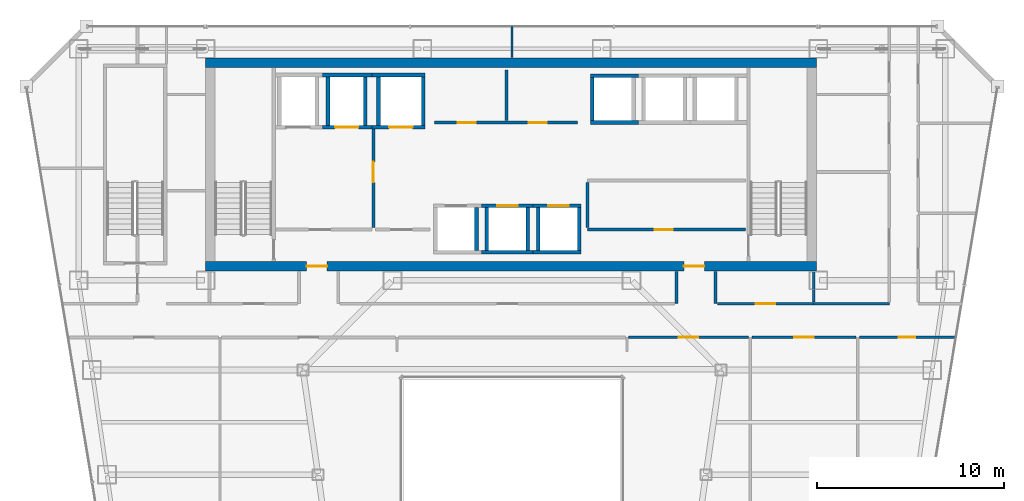
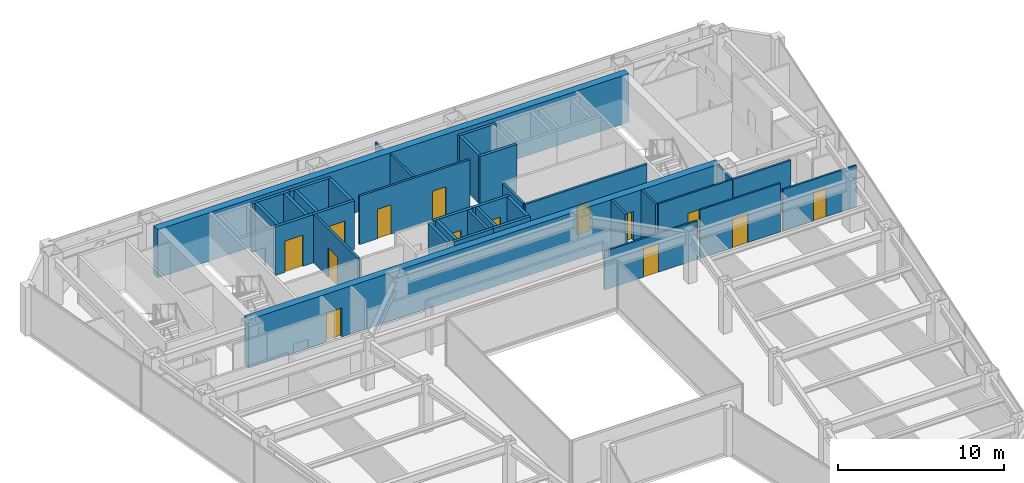
# One storey, part 32 of 36: 36 walls, 14 doors, 14 openings.
"""IFC4 building model written with IfcOpenShell, lengths in metres."""

from ifc_helpers import new_model, si_unit, direction, frame, frame_2d, origin, place, context, subcontext, project, spatial, rectangle, extrude, material, layer, layer_set, type_object, element, fill, save


model = new_model("IFC4")

# Units and contexts
model_context = context("Model", 3, precision=1e-05, world=origin(), true_north=direction((0.0, 1.0)))
body_context = subcontext(model_context, "Body", "Model", "MODEL_VIEW")
ifc_project = project(units=[si_unit("LENGTHUNIT", "METRE"), si_unit("AREAUNIT", "SQUARE_METRE"), si_unit("VOLUMEUNIT", "CUBIC_METRE"), si_unit("PLANEANGLEUNIT", "RADIAN"), si_unit("MASSUNIT", "GRAM", prefix="KILO")], contexts=[model_context])

# Site, building, storey
site_placement = place(None, origin())
site = spatial("IfcSite", under=ifc_project, at=site_placement, CompositionType="ELEMENT")
building_placement = place(site_placement, origin())
building = spatial("IfcBuilding", under=site, at=building_placement, Name="Saevonmaru Cultural Tower", CompositionType="ELEMENT")
storey_placement = place(building_placement, frame((0.0, 0.0, 152.39990234375)))
storey = spatial("IfcBuildingStorey", under=building, at=storey_placement, Name="L33", CompositionType="ELEMENT", Elevation=152.39990234375)

# Wall, openings, doors
ifc_material_1 = material(Name="Concrete C60/75", Category="concrete")
ifc_layer_1 = layer(ifc_material_1, 0.5, Name="Concrete C60/75")
ifc_layer_set_1 = layer_set([ifc_layer_1], Name="Concrete C60/75")
wall_type_1 = type_object("IfcWallType", Name="WL-CORE-500", PredefinedType="SHEAR", material=ifc_layer_set_1)
wall_1_placement = place(storey_placement, frame((13.60009765625, 43.14990234375, 0.0), z_axis=(0.0, 0.0, 1.0), x_axis=(1.0, 0.0, 0.0)))
wall_1 = element("IfcWall", 1, at=wall_1_placement, inside=storey, type_object=wall_type_1, Name="L33 Tower RC core shear wall S", PredefinedType="SHEAR", context=body_context, shape_type="SweptSolid", body=[
    extrude(rectangle(XDim=32.699951171875, YDim=0.5, at=frame_2d((16.35009765625, 0.0))), origin(), (0.0, 0.0, 1.0), 3.550048828125),
])
opening_1_placement = place(wall_1_placement, frame((5.39990234375, 0.0, 0.0)))
opening_1 = element("IfcOpeningElement", 2, at=opening_1_placement, cuts=wall_1, Name="Opening FD-2", PredefinedType="OPENING", context=body_context, shape_type="SweptSolid", body=[
    extrude(rectangle(XDim=1.10009765625, YDim=2.14990234375, at=frame_2d((0.550048828125, 1.074951171875))), frame((0.0, 0.260009765625, 0.0), z_axis=(0.0, -1.0, 0.0), x_axis=(1.0, 0.0, 0.0)), (0.0, 0.0, 1.0), 0.52001953125),
])
opening_2_placement = place(wall_1_placement, frame((25.60009765625, 0.0, 0.0)))
opening_2 = element("IfcOpeningElement", 3, at=opening_2_placement, cuts=wall_1, Name="Opening FD-2", PredefinedType="OPENING", context=body_context, shape_type="SweptSolid", body=[
    extrude(rectangle(XDim=1.10009765625, YDim=2.14990234375, at=frame_2d((0.550048828125, 1.074951171875))), frame((0.0, 0.260009765625, 0.0), z_axis=(0.0, -1.0, 0.0), x_axis=(1.0, 0.0, 0.0)), (0.0, 0.0, 1.0), 0.52001953125),
])
ifc_material_2 = material(Name="Satin Bronze Anodised Aluminium", Category="aluminium")
door_type_1 = type_object("IfcDoorType", Name="DR-FD60-1100", OperationType="SINGLE_SWING_LEFT", PredefinedType="DOOR", material=ifc_material_2)
door_1_placement = place(opening_1_placement, origin())
door_1 = element("IfcDoor", 4, at=door_1_placement, inside=storey, type_object=door_type_1, Name="L33 Core West Lobby Fire Door", OperationType="SINGLE_SWING_LEFT", OverallHeight=2.14990234375, OverallWidth=1.10009765625, PredefinedType="DOOR", context=body_context, shape_type="SweptSolid", body=[
    extrude(rectangle(XDim=1.10009765625, YDim=2.14990234375, at=frame_2d((0.550048828125, 1.074951171875))), frame((0.0, 0.02490234375, 0.0), z_axis=(0.0, -1.0, 0.0), x_axis=(1.0, 0.0, 0.0)), (0.0, 0.0, 1.0), 0.050048828125),
])
fill(opening_1, door_1)
door_2_placement = place(opening_2_placement, origin())
door_2 = element("IfcDoor", 5, at=door_2_placement, inside=storey, type_object=door_type_1, Name="L33 Core East Lobby Fire Door", OperationType="SINGLE_SWING_LEFT", OverallHeight=2.14990234375, OverallWidth=1.10009765625, PredefinedType="DOOR", context=body_context, shape_type="SweptSolid", body=[
    extrude(rectangle(XDim=1.10009765625, YDim=2.14990234375, at=frame_2d((0.550048828125, 1.074951171875))), frame((0.0, 0.02490234375, 0.0), z_axis=(0.0, -1.0, 0.0), x_axis=(1.0, 0.0, 0.0)), (0.0, 0.0, 1.0), 0.050048828125),
])
fill(opening_2, door_2)

# Wall
wall_2_placement = place(storey_placement, frame((13.60009765625, 54.050048828125, 0.0), z_axis=(0.0, 0.0, 1.0), x_axis=(1.0, 0.0, 0.0)))
element("IfcWall", 6, at=wall_2_placement, inside=storey, type_object=wall_type_1, Name="L33 Tower RC core shear wall N", PredefinedType="SHEAR", context=body_context, shape_type="SweptSolid", body=[
    extrude(rectangle(XDim=32.699951171875, YDim=0.5, at=frame_2d((16.35009765625, 0.0))), origin(), (0.0, 0.0, 1.0), 3.550048828125),
])

# Wall, opening, door
ifc_material_3 = material(Name="Gypsum Fireboard Partition", Category="gypsum")
ifc_layer_2 = layer(ifc_material_3, 0.14990234375, Name="Gypsum Fireboard Partition")
ifc_layer_set_2 = layer_set([ifc_layer_2], Name="Gypsum Fireboard Partition")
wall_type_2 = type_object("IfcWallType", Name="WL-CORE-PART-150", PredefinedType="PARTITIONING", material=ifc_layer_set_2)
wall_3_placement = place(storey_placement, frame((22.580078125, 50.550048828125, 0.0), z_axis=(0.0, 0.0, 1.0), x_axis=(0.0, -1.0, 0.0)))
wall_3 = element("IfcWall", 7, at=wall_3_placement, inside=storey, type_object=wall_type_2, Name="L33 Firefighting Lift Lobby East Wall", PredefinedType="PARTITIONING", context=body_context, shape_type="SweptSolid", body=[
    extrude(rectangle(XDim=5.330078125, YDim=0.14990234375, at=frame_2d((2.6650390625, 0.0))), origin(), (0.0, 0.0, 1.0), 3.550048828125),
])
opening_3_placement = place(wall_3_placement, frame((1.800048828125, 0.0, 0.0)))
opening_3 = element("IfcOpeningElement", 8, at=opening_3_placement, cuts=wall_3, Name="Opening FD-2", PredefinedType="OPENING", context=body_context, shape_type="SweptSolid", body=[
    extrude(rectangle(XDim=1.10009765625, YDim=2.14990234375, at=frame_2d((0.550048828125, 1.074951171875))), frame((0.0, 0.0849609375, 0.0), z_axis=(0.0, -1.0, 0.0), x_axis=(1.0, 0.0, 0.0)), (0.0, 0.0, 1.0), 0.169921875),
])
door_3_placement = place(opening_3_placement, origin())
door_3 = element("IfcDoor", 9, at=door_3_placement, inside=storey, type_object=door_type_1, Name="L33 Firefighting Lift Lobby East Door", OperationType="SINGLE_SWING_LEFT", OverallHeight=2.14990234375, OverallWidth=1.10009765625, PredefinedType="DOOR", context=body_context, shape_type="SweptSolid", body=[
    extrude(rectangle(XDim=1.10009765625, YDim=2.14990234375, at=frame_2d((0.550048828125, 1.074951171875))), frame((0.0, 0.02490234375, 0.0), z_axis=(0.0, -1.0, 0.0), x_axis=(1.0, 0.0, 0.0)), (0.0, 0.0, 1.0), 0.050048828125),
])
fill(opening_3, door_3)

wall_4_placement = place(storey_placement, frame((34.050048828125, 45.1201171875, 0.0), z_axis=(0.0, 0.0, 1.0), x_axis=(1.0, 0.0, 0.0)))
wall_4 = element("IfcWall", 10, at=wall_4_placement, inside=storey, type_object=wall_type_2, Name="L33 Core Service South Wall", PredefinedType="PARTITIONING", context=body_context, shape_type="SweptSolid", body=[
    extrude(rectangle(XDim=8.449951171875, YDim=0.14990234375, at=frame_2d((4.22509765625, 0.0))), origin(), (0.0, 0.0, 1.0), 3.550048828125),
])
opening_4_placement = place(wall_4_placement, frame((3.60009765625, 0.0, 0.0)))
opening_4 = element("IfcOpeningElement", 11, at=opening_4_placement, cuts=wall_4, Name="Opening FD-4", PredefinedType="OPENING", context=body_context, shape_type="SweptSolid", body=[
    extrude(rectangle(XDim=0.949951171875, YDim=2.14990234375, at=frame_2d((0.47509765625, 1.074951171875))), frame((0.0, 0.0849609375, 0.0), z_axis=(0.0, -1.0, 0.0), x_axis=(1.0, 0.0, 0.0)), (0.0, 0.0, 1.0), 0.169921875),
])
door_type_2 = type_object("IfcDoorType", Name="DR-FD60-950", OperationType="SINGLE_SWING_LEFT", PredefinedType="DOOR", material=ifc_material_2)
door_4_placement = place(opening_4_placement, origin())
door_4 = element("IfcDoor", 12, at=door_4_placement, inside=storey, type_object=door_type_2, Name="L33 Telecom Riser Plant Door", OperationType="SINGLE_SWING_LEFT", OverallHeight=2.14990234375, OverallWidth=0.949951171875, PredefinedType="DOOR", context=body_context, shape_type="SweptSolid", body=[
    extrude(rectangle(XDim=0.949951171875, YDim=2.14990234375, at=frame_2d((0.47509765625, 1.074951171875))), frame((0.0, 0.02490234375, 0.0), z_axis=(0.0, -1.0, 0.0), x_axis=(1.0, 0.0, 0.0)), (0.0, 0.0, 1.0), 0.050048828125),
])
fill(opening_4, door_4)

# Wall
wall_5_placement = place(storey_placement, frame((34.050048828125, 45.219970703125, 0.0), z_axis=(0.0, 0.0, 1.0), x_axis=(0.0, 1.0, 0.0)))
element("IfcWall", 13, at=wall_5_placement, inside=storey, type_object=wall_type_2, Name="L33 Core Service West Wall", PredefinedType="PARTITIONING", context=body_context, shape_type="SweptSolid", body=[
    extrude(rectangle(XDim=2.429931640625, YDim=0.14990234375, at=frame_2d((1.21484375, 0.0))), origin(), (0.0, 0.0, 1.0), 3.550048828125),
])

# Wall, openings, doors
wall_6_placement = place(storey_placement, frame((25.85009765625, 50.85009765625, 0.0), z_axis=(0.0, 0.0, 1.0), x_axis=(1.0, 0.0, 0.0)))
wall_6 = element("IfcWall", 14, at=wall_6_placement, inside=storey, type_object=wall_type_2, Name="L33 Reclaimed Core Room South Wall", PredefinedType="PARTITIONING", context=body_context, shape_type="SweptSolid", body=[
    extrude(rectangle(XDim=7.64990234375, YDim=0.14990234375, at=frame_2d((3.824951171875, 0.0))), origin(), (0.0, 0.0, 1.0), 3.550048828125),
])
opening_5_placement = place(wall_6_placement, frame((1.25, 0.0, 0.0)))
opening_5 = element("IfcOpeningElement", 15, at=opening_5_placement, cuts=wall_6, Name="Opening FD-4", PredefinedType="OPENING", context=body_context, shape_type="SweptSolid", body=[
    extrude(rectangle(XDim=0.949951171875, YDim=2.14990234375, at=frame_2d((0.47509765625, 1.074951171875))), frame((0.0, 0.0849609375, 0.0), z_axis=(0.0, -1.0, 0.0), x_axis=(1.0, 0.0, 0.0)), (0.0, 0.0, 1.0), 0.169921875),
])
opening_6_placement = place(wall_6_placement, frame((5.050048828125, 0.0, 0.0)))
opening_6 = element("IfcOpeningElement", 16, at=opening_6_placement, cuts=wall_6, Name="Opening FD-4", PredefinedType="OPENING", context=body_context, shape_type="SweptSolid", body=[
    extrude(rectangle(XDim=0.949951171875, YDim=2.14990234375, at=frame_2d((0.47509765625, 1.074951171875))), frame((0.0, 0.0849609375, 0.0), z_axis=(0.0, -1.0, 0.0), x_axis=(1.0, 0.0, 0.0)), (0.0, 0.0, 1.0), 0.169921875),
])
door_5_placement = place(opening_5_placement, origin())
door_5 = element("IfcDoor", 17, at=door_5_placement, inside=storey, type_object=door_type_2, Name="L33 Reclaimed Archive Vault Door", OperationType="SINGLE_SWING_LEFT", OverallHeight=2.14990234375, OverallWidth=0.949951171875, PredefinedType="DOOR", context=body_context, shape_type="SweptSolid", body=[
    extrude(rectangle(XDim=0.949951171875, YDim=2.14990234375, at=frame_2d((0.47509765625, 1.074951171875))), frame((0.0, 0.02490234375, 0.0), z_axis=(0.0, -1.0, 0.0), x_axis=(1.0, 0.0, 0.0)), (0.0, 0.0, 1.0), 0.050048828125),
])
fill(opening_5, door_5)
door_6_placement = place(opening_6_placement, origin())
door_6 = element("IfcDoor", 18, at=door_6_placement, inside=storey, type_object=door_type_2, Name="L33 Reclaimed Conservation Storage Door", OperationType="SINGLE_SWING_LEFT", OverallHeight=2.14990234375, OverallWidth=0.949951171875, PredefinedType="DOOR", context=body_context, shape_type="SweptSolid", body=[
    extrude(rectangle(XDim=0.949951171875, YDim=2.14990234375, at=frame_2d((0.47509765625, 1.074951171875))), frame((0.0, 0.02490234375, 0.0), z_axis=(0.0, -1.0, 0.0), x_axis=(1.0, 0.0, 0.0)), (0.0, 0.0, 1.0), 0.050048828125),
])
fill(opening_6, door_6)

# Walls
wall_7_placement = place(storey_placement, frame((29.699951171875, 50.949951171875, 0.0), z_axis=(0.0, 0.0, 1.0), x_axis=(0.0, 1.0, 0.0)))
element("IfcWall", 19, at=wall_7_placement, inside=storey, type_object=wall_type_2, Name="L33 Reclaimed Vault Split", PredefinedType="PARTITIONING", context=body_context, shape_type="SweptSolid", body=[
    extrude(rectangle(XDim=2.699951171875, YDim=0.14990234375, at=frame_2d((1.35009765625, 0.0))), origin(), (0.0, 0.0, 1.0), 3.550048828125),
])
ifc_layer_3 = layer(ifc_material_3, 0.14990234375, Name="Gypsum Fireboard Partition")
ifc_layer_set_3 = layer_set([ifc_layer_3], Name="Gypsum Fireboard Partition")
wall_type_3 = type_object("IfcWallType", Name="WL-PART-FIRE-150", PredefinedType="PARTITIONING", material=ifc_layer_set_3)
for number, where, z_axis, x_axis, name in (
    (20, (38.800048828125, 41.14990234375, 0.0), (0.0, 0.0, 1.0), (0.0, 1.0, 0.0), "L33 Core Portal Side Wall E1"),
    (21, (40.89990234375, 41.14990234375, 0.0), (0.0, 0.0, 1.0), (0.0, 1.0, 0.0), "L33 Core Portal Side Wall E2"),
):
    element("IfcWall", number, at=place(storey_placement, frame(where, z_axis=z_axis, x_axis=x_axis)), inside=storey, type_object=wall_type_3, Name=name, PredefinedType="PARTITIONING", context=body_context, shape_type="SweptSolid", body=[
        extrude(rectangle(XDim=1.72998046875, YDim=0.14990234375, at=frame_2d((0.864990234375, 0.0))), origin(), (0.0, 0.0, 1.0), 3.550048828125),
    ])
ifc_layer_4 = layer(ifc_material_3, 0.1201171875, Name="Gypsum Fireboard Partition")
ifc_layer_set_4 = layer_set([ifc_layer_4], Name="Gypsum Fireboard Partition")
wall_type_4 = type_object("IfcWallType", Name="WL-PART-GYP-120", PredefinedType="PARTITIONING", material=ifc_layer_set_4)
wall_8_placement = place(storey_placement, frame((30.0, 54.320068359375, 0.0), z_axis=(0.0, 0.0, 1.0), x_axis=(0.0, 1.0, 0.0)))
element("IfcWall", 22, at=wall_8_placement, inside=storey, type_object=wall_type_4, Name="L33 North Panorama Center Split", PredefinedType="PARTITIONING", context=body_context, shape_type="SweptSolid", body=[
    extrude(rectangle(XDim=1.675048828125, YDim=0.1201171875, at=frame_2d((0.83740234375, 0.0))), origin(), (0.0, 0.0, 1.0), 2.93505859375),
])

# Wall, opening, door
wall_9_placement = place(storey_placement, frame((40.9951171875, 41.14990234375, 0.0), z_axis=(0.0, 0.0, 1.0), x_axis=(1.0, 0.0, 0.0)))
wall_9 = element("IfcWall", 23, at=wall_9_placement, inside=storey, type_object=wall_type_4, Name="L33 Rare Manuscript Reading Room Corridor Wall", PredefinedType="PARTITIONING", context=body_context, shape_type="SweptSolid", body=[
    extrude(rectangle(XDim=5.15478515625, YDim=0.1201171875, at=frame_2d((2.577392578125, 0.0))), origin(), (0.0, 0.0, 1.0), 3.550048828125),
])
opening_7_placement = place(wall_9_placement, frame((2.052978515625, 0.0, 0.0)))
opening_7 = element("IfcOpeningElement", 24, at=opening_7_placement, cuts=wall_9, Name="Opening ID-1", PredefinedType="OPENING", context=body_context, shape_type="SweptSolid", body=[
    extrude(rectangle(XDim=1.050048828125, YDim=2.14990234375, at=frame_2d((0.52490234375, 1.074951171875))), frame((0.0, 0.070068359375, 0.0), z_axis=(0.0, -1.0, 0.0), x_axis=(1.0, 0.0, 0.0)), (0.0, 0.0, 1.0), 0.14013671875),
])
door_type_3 = type_object("IfcDoorType", Name="DR-INT-1050", OperationType="SINGLE_SWING_LEFT", PredefinedType="DOOR", material=ifc_material_2)
door_7_placement = place(opening_7_placement, origin())
door_7 = element("IfcDoor", 25, at=door_7_placement, inside=storey, type_object=door_type_3, Name="L33 Rare Manuscript Reading Room Door", OperationType="SINGLE_SWING_LEFT", OverallHeight=2.14990234375, OverallWidth=1.050048828125, PredefinedType="DOOR", context=body_context, shape_type="SweptSolid", body=[
    extrude(rectangle(XDim=1.050048828125, YDim=2.14990234375, at=frame_2d((0.52490234375, 1.074951171875))), frame((0.0, 0.02490234375, 0.0), z_axis=(0.0, -1.0, 0.0), x_axis=(1.0, 0.0, 0.0)), (0.0, 0.0, 1.0), 0.050048828125),
])
fill(opening_7, door_7)

wall_10_placement = place(storey_placement, frame((36.22998046875, 39.35009765625, 0.0), z_axis=(0.0, 0.0, 1.0), x_axis=(1.0, 0.0, 0.0)))
wall_10 = element("IfcWall", 26, at=wall_10_placement, inside=storey, type_object=wall_type_4, Name="L33 Rare Manuscript Reading Room Corridor Wall", PredefinedType="PARTITIONING", context=body_context, shape_type="SweptSolid", body=[
    extrude(rectangle(XDim=6.442626953125, YDim=0.1201171875, at=frame_2d((3.22119140625, 0.0))), origin(), (0.0, 0.0, 1.0), 2.835205078125),
])
opening_8_placement = place(wall_10_placement, frame((2.696044921875, 0.0, 0.0)))
opening_8 = element("IfcOpeningElement", 27, at=opening_8_placement, cuts=wall_10, Name="Opening ID-1", PredefinedType="OPENING", context=body_context, shape_type="SweptSolid", body=[
    extrude(rectangle(XDim=1.050048828125, YDim=2.14990234375, at=frame_2d((0.52490234375, 1.074951171875))), frame((0.0, 0.070068359375, 0.0), z_axis=(0.0, -1.0, 0.0), x_axis=(1.0, 0.0, 0.0)), (0.0, 0.0, 1.0), 0.14013671875),
])
door_8_placement = place(opening_8_placement, origin())
door_8 = element("IfcDoor", 28, at=door_8_placement, inside=storey, type_object=door_type_3, Name="L33 Rare Manuscript Reading Room Door", OperationType="SINGLE_SWING_RIGHT", OverallHeight=2.14990234375, OverallWidth=1.050048828125, PredefinedType="DOOR", context=body_context, shape_type="SweptSolid", body=[
    extrude(rectangle(XDim=1.050048828125, YDim=2.14990234375, at=frame_2d((0.52490234375, 1.074951171875))), frame((0.0, 0.02490234375, 0.0), z_axis=(0.0, -1.0, 0.0), x_axis=(1.0, 0.0, 0.0)), (0.0, 0.0, 1.0), 0.050048828125),
])
fill(opening_8, door_8)

wall_11_placement = place(storey_placement, frame((42.847412109375, 39.35009765625, 0.0), z_axis=(0.0, 0.0, 1.0), x_axis=(1.0, 0.0, 0.0)))
wall_11 = element("IfcWall", 29, at=wall_11_placement, inside=storey, type_object=wall_type_4, Name="L33 Periodical Reading Room Corridor Wall", PredefinedType="PARTITIONING", context=body_context, shape_type="SweptSolid", body=[
    extrude(rectangle(XDim=5.5751953125, YDim=0.1201171875, at=frame_2d((2.78759765625, 0.0))), origin(), (0.0, 0.0, 1.0), 3.550048828125),
])
opening_9_placement = place(wall_11_placement, frame((2.262939453125, 0.0, 0.0)))
opening_9 = element("IfcOpeningElement", 30, at=opening_9_placement, cuts=wall_11, Name="Opening ID-1", PredefinedType="OPENING", context=body_context, shape_type="SweptSolid", body=[
    extrude(rectangle(XDim=1.050048828125, YDim=2.14990234375, at=frame_2d((0.52490234375, 1.074951171875))), frame((0.0, 0.070068359375, 0.0), z_axis=(0.0, -1.0, 0.0), x_axis=(1.0, 0.0, 0.0)), (0.0, 0.0, 1.0), 0.14013671875),
])
door_9_placement = place(opening_9_placement, origin())
door_9 = element("IfcDoor", 31, at=door_9_placement, inside=storey, type_object=door_type_3, Name="L33 Periodical Reading Room Door", OperationType="SINGLE_SWING_LEFT", OverallHeight=2.14990234375, OverallWidth=1.050048828125, PredefinedType="DOOR", context=body_context, shape_type="SweptSolid", body=[
    extrude(rectangle(XDim=1.050048828125, YDim=2.14990234375, at=frame_2d((0.52490234375, 1.074951171875))), frame((0.0, 0.02490234375, 0.0), z_axis=(0.0, -1.0, 0.0), x_axis=(1.0, 0.0, 0.0)), (0.0, 0.0, 1.0), 0.050048828125),
])
fill(opening_9, door_9)

wall_12_placement = place(storey_placement, frame((48.597412109375, 39.35009765625, 0.0), z_axis=(0.0, 0.0, 1.0), x_axis=(1.0, 0.0, 0.0)))
wall_12 = element("IfcWall", 32, at=wall_12_placement, inside=storey, type_object=wall_type_4, Name="L33 Editorial Fellows Office Corridor Wall", PredefinedType="PARTITIONING", context=body_context, shape_type="SweptSolid", body=[
    extrude(rectangle(XDim=5.09765625, YDim=0.1201171875, at=frame_2d((2.548828125, 0.0))), origin(), (0.0, 0.0, 1.0), 3.03515625),
])
opening_10_placement = place(wall_12_placement, frame((2.09912109375, 0.0, 0.0)))
opening_10 = element("IfcOpeningElement", 33, at=opening_10_placement, cuts=wall_12, Name="Opening ID-2", PredefinedType="OPENING", context=body_context, shape_type="SweptSolid", body=[
    extrude(rectangle(XDim=0.89990234375, YDim=2.10009765625, at=frame_2d((0.449951171875, 1.050048828125))), frame((0.0, 0.070068359375, 0.0), z_axis=(0.0, -1.0, 0.0), x_axis=(1.0, 0.0, 0.0)), (0.0, 0.0, 1.0), 0.14013671875),
])
ifc_material_4 = material(Name="Acoustic Stained Oak Timber", Category="wood")
door_type_4 = type_object("IfcDoorType", Name="DR-INT-900", OperationType="SINGLE_SWING_RIGHT", PredefinedType="DOOR", material=ifc_material_4)
door_10_placement = place(opening_10_placement, origin())
door_10 = element("IfcDoor", 34, at=door_10_placement, inside=storey, type_object=door_type_4, Name="L33 Editorial Fellows Office Door", OperationType="SINGLE_SWING_RIGHT", OverallHeight=2.10009765625, OverallWidth=0.89990234375, PredefinedType="DOOR", context=body_context, shape_type="SweptSolid", body=[
    extrude(rectangle(XDim=0.89990234375, YDim=2.10009765625, at=frame_2d((0.449951171875, 1.050048828125))), frame((0.0, 0.02490234375, 0.0), z_axis=(0.0, -1.0, 0.0), x_axis=(1.0, 0.0, 0.0)), (0.0, 0.0, 1.0), 0.050048828125),
])
fill(opening_10, door_10)

# Walls
ifc_layer_5 = layer(ifc_material_3, 0.139892578125, Name="Gypsum Fireboard Partition")
ifc_layer_set_5 = layer_set([ifc_layer_5], Name="Gypsum Fireboard Partition")
wall_type_5 = type_object("IfcWallType", Name="WL-PART-WET-140", PredefinedType="PARTITIONING", material=ifc_layer_set_5)
wall_13_placement = place(storey_placement, frame((46.14990234375, 41.14990234375, 0.0), z_axis=(0.0, 0.0, 1.0), x_axis=(1.0, 0.0, 0.0)))
element("IfcWall", 35, at=wall_13_placement, inside=storey, type_object=wall_type_5, Name="L33 Washroom South Wall", PredefinedType="PARTITIONING", context=body_context, shape_type="SweptSolid", body=[
    extrude(rectangle(XDim=4.050048828125, YDim=0.139892578125, at=frame_2d((2.02490234375, 0.0))), origin(), (0.0, 0.0, 1.0), 3.550048828125),
])
wall_14_placement = place(storey_placement, frame((46.14990234375, 41.239990234375, 0.0), z_axis=(0.0, 0.0, 1.0), x_axis=(0.0, 1.0, 0.0)))
element("IfcWall", 36, at=wall_14_placement, inside=storey, type_object=wall_type_5, Name="L33 Washroom South-West Return", PredefinedType="PARTITIONING", context=body_context, shape_type="SweptSolid", body=[
    extrude(rectangle(XDim=1.639892578125, YDim=0.139892578125, at=frame_2d((0.81982421875, 0.0))), origin(), (0.0, 0.0, 1.0), 3.550048828125),
])

# Wall, opening, door
ifc_material_5 = material(Name="Concrete C40/50", Category="concrete")
ifc_layer_6 = layer(ifc_material_5, 0.199951171875, Name="Concrete C40/50")
ifc_layer_set_6 = layer_set([ifc_layer_6], Name="Concrete C40/50")
wall_type_6 = type_object("IfcWallType", Name="WL-SHAFT-200", PredefinedType="SHEAR", material=ifc_layer_set_6)
wall_15_placement = place(storey_placement, frame((19.85009765625, 50.60009765625, 0.0), z_axis=(0.0, 0.0, 1.0), x_axis=(1.0, 0.0, 0.0)))
wall_15 = element("IfcWall", 37, at=wall_15_placement, inside=storey, type_object=wall_type_6, Name="L33 Lift FFL-2 Hoistway Wall S", PredefinedType="SHEAR", context=body_context, shape_type="SweptSolid", body=[
    extrude(rectangle(XDim=2.64990234375, YDim=0.199951171875, at=frame_2d((1.324951171875, 0.0))), origin(), (0.0, 0.0, 1.0), 3.550048828125),
])
opening_11_placement = place(wall_15_placement, frame((0.675048828125, 0.0, 0.0)))
opening_11 = element("IfcOpeningElement", 38, at=opening_11_placement, cuts=wall_15, Name="Opening LD-2", PredefinedType="OPENING", context=body_context, shape_type="SweptSolid", body=[
    extrude(rectangle(XDim=1.25, YDim=2.300048828125, at=frame_2d((0.625, 1.14990234375))), frame((0.0, 0.10986328125, 0.0), z_axis=(0.0, -1.0, 0.0), x_axis=(1.0, 0.0, 0.0)), (0.0, 0.0, 1.0), 0.219970703125),
])
ifc_material_6 = material(Name="Stainless Steel 316", Category="steel")
door_type_5 = type_object("IfcDoorType", Name="DR-LIFT-1250", OperationType="SLIDING_TO_LEFT", PredefinedType="DOOR", material=ifc_material_6)
door_11_placement = place(opening_11_placement, origin())
door_11 = element("IfcDoor", 39, at=door_11_placement, inside=storey, type_object=door_type_5, Name="L33 Lift FFL-2 Sliding Landing Door", OperationType="SLIDING_TO_LEFT", OverallHeight=2.300048828125, OverallWidth=1.25, PredefinedType="DOOR", context=body_context, shape_type="SweptSolid", body=[
    extrude(rectangle(XDim=1.25, YDim=2.300048828125, at=frame_2d((0.625, 1.14990234375))), frame((0.0, 0.02490234375, 0.0), z_axis=(0.0, -1.0, 0.0), x_axis=(1.0, 0.0, 0.0)), (0.0, 0.0, 1.0), 0.050048828125),
])
fill(opening_11, door_11)

# Walls
wall_16_placement = place(storey_placement, frame((19.85009765625, 53.39990234375, 0.0), z_axis=(0.0, 0.0, 1.0), x_axis=(1.0, 0.0, 0.0)))
element("IfcWall", 40, at=wall_16_placement, inside=storey, type_object=wall_type_6, Name="L33 Lift FFL-2 Hoistway Wall N", PredefinedType="SHEAR", context=body_context, shape_type="SweptSolid", body=[
    extrude(rectangle(XDim=2.64990234375, YDim=0.199951171875, at=frame_2d((1.324951171875, 0.0))), origin(), (0.0, 0.0, 1.0), 3.550048828125),
])
for number, where, z_axis, x_axis, name in (
    (41, (20.14990234375, 50.699951171875, 0.0), (0.0, 0.0, 1.0), (0.0, 1.0, 0.0), "L33 Lift FFL-2 Hoistway Wall W"),
    (42, (22.14990234375, 50.699951171875, 0.0), (0.0, 0.0, 1.0), (0.0, 1.0, 0.0), "L33 Lift FFL-2 Hoistway Wall E"),
):
    element("IfcWall", number, at=place(storey_placement, frame(where, z_axis=z_axis, x_axis=x_axis)), inside=storey, type_object=wall_type_6, Name=name, PredefinedType="SHEAR", context=body_context, shape_type="SweptSolid", body=[
        extrude(rectangle(XDim=2.60009765625, YDim=0.199951171875, at=frame_2d((1.300048828125, 0.0))), origin(), (0.0, 0.0, 1.0), 3.550048828125),
    ])

# Wall, opening, door
wall_17_placement = place(storey_placement, frame((22.5, 50.60009765625, 0.0), z_axis=(0.0, 0.0, 1.0), x_axis=(1.0, 0.0, 0.0)))
wall_17 = element("IfcWall", 43, at=wall_17_placement, inside=storey, type_object=wall_type_6, Name="L33 Lift GL-1 Hoistway Wall S", PredefinedType="SHEAR", context=body_context, shape_type="SweptSolid", body=[
    extrude(rectangle(XDim=2.85009765625, YDim=0.199951171875, at=frame_2d((1.425048828125, 0.0))), origin(), (0.0, 0.0, 1.0), 3.550048828125),
])
opening_12_placement = place(wall_17_placement, frame((0.925048828125, 0.0, 0.0)))
opening_12 = element("IfcOpeningElement", 44, at=opening_12_placement, cuts=wall_17, Name="Opening LD-2", PredefinedType="OPENING", context=body_context, shape_type="SweptSolid", body=[
    extrude(rectangle(XDim=1.25, YDim=2.300048828125, at=frame_2d((0.625, 1.14990234375))), frame((0.0, 0.10986328125, 0.0), z_axis=(0.0, -1.0, 0.0), x_axis=(1.0, 0.0, 0.0)), (0.0, 0.0, 1.0), 0.219970703125),
])
door_12_placement = place(opening_12_placement, origin())
door_12 = element("IfcDoor", 45, at=door_12_placement, inside=storey, type_object=door_type_5, Name="L33 Lift GL-1 Sliding Landing Door", OperationType="SLIDING_TO_LEFT", OverallHeight=2.300048828125, OverallWidth=1.25, PredefinedType="DOOR", context=body_context, shape_type="SweptSolid", body=[
    extrude(rectangle(XDim=1.25, YDim=2.300048828125, at=frame_2d((0.625, 1.14990234375))), frame((0.0, 0.02490234375, 0.0), z_axis=(0.0, -1.0, 0.0), x_axis=(1.0, 0.0, 0.0)), (0.0, 0.0, 1.0), 0.050048828125),
])
fill(opening_12, door_12)

# Walls
wall_18_placement = place(storey_placement, frame((22.5, 53.39990234375, 0.0), z_axis=(0.0, 0.0, 1.0), x_axis=(1.0, 0.0, 0.0)))
element("IfcWall", 46, at=wall_18_placement, inside=storey, type_object=wall_type_6, Name="L33 Lift GL-1 Hoistway Wall N", PredefinedType="SHEAR", context=body_context, shape_type="SweptSolid", body=[
    extrude(rectangle(XDim=2.85009765625, YDim=0.199951171875, at=frame_2d((1.425048828125, 0.0))), origin(), (0.0, 0.0, 1.0), 3.550048828125),
])
for number, where, z_axis, x_axis, name in (
    (47, (22.85009765625, 50.699951171875, 0.0), (0.0, 0.0, 1.0), (0.0, 1.0, 0.0), "L33 Lift GL-1 Hoistway Wall W"),
    (48, (25.25, 50.699951171875, 0.0), (0.0, 0.0, 1.0), (0.0, 1.0, 0.0), "L33 Lift GL-1 Hoistway Wall E"),
):
    element("IfcWall", number, at=place(storey_placement, frame(where, z_axis=z_axis, x_axis=x_axis)), inside=storey, type_object=wall_type_6, Name=name, PredefinedType="SHEAR", context=body_context, shape_type="SweptSolid", body=[
        extrude(rectangle(XDim=2.60009765625, YDim=0.199951171875, at=frame_2d((1.300048828125, 0.0))), origin(), (0.0, 0.0, 1.0), 3.550048828125),
    ])
wall_19_placement = place(storey_placement, frame((28.10009765625, 44.0, 0.0), z_axis=(0.0, 0.0, 1.0), x_axis=(0.0, 1.0, 0.0)))
element("IfcWall", 49, at=wall_19_placement, inside=storey, type_object=wall_type_6, Name="L33 Lift PL-M1 Hoistway Wall E", PredefinedType="SHEAR", context=body_context, shape_type="SweptSolid", body=[
    extrude(rectangle(XDim=2.300048828125, YDim=0.199951171875, at=frame_2d((1.14990234375, 0.0))), origin(), (0.0, 0.0, 1.0), 3.550048828125),
])
wall_20_placement = place(storey_placement, frame((28.375, 43.89990234375, 0.0), z_axis=(0.0, 0.0, 1.0), x_axis=(1.0, 0.0, 0.0)))
element("IfcWall", 50, at=wall_20_placement, inside=storey, type_object=wall_type_6, Name="L33 Lift PL-M2 Hoistway Wall S", PredefinedType="SHEAR", context=body_context, shape_type="SweptSolid", body=[
    extrude(rectangle(XDim=2.75, YDim=0.199951171875, at=frame_2d((1.375, 0.0))), origin(), (0.0, 0.0, 1.0), 3.550048828125),
])

# Wall, opening, door
wall_21_placement = place(storey_placement, frame((28.375, 46.39990234375, 0.0), z_axis=(0.0, 0.0, 1.0), x_axis=(1.0, 0.0, 0.0)))
wall_21 = element("IfcWall", 51, at=wall_21_placement, inside=storey, type_object=wall_type_6, Name="L33 Lift PL-M2 Hoistway Wall N", PredefinedType="SHEAR", context=body_context, shape_type="SweptSolid", body=[
    extrude(rectangle(XDim=2.75, YDim=0.199951171875, at=frame_2d((1.375, 0.0))), origin(), (0.0, 0.0, 1.0), 3.550048828125),
])
opening_13_placement = place(wall_21_placement, frame((0.824951171875, 0.0, 0.0)))
opening_13 = element("IfcOpeningElement", 52, at=opening_13_placement, cuts=wall_21, Name="Opening LD-1", PredefinedType="OPENING", context=body_context, shape_type="SweptSolid", body=[
    extrude(rectangle(XDim=1.10009765625, YDim=2.199951171875, at=frame_2d((0.550048828125, 1.10009765625))), frame((0.0, 0.10986328125, 0.0), z_axis=(0.0, -1.0, 0.0), x_axis=(1.0, 0.0, 0.0)), (0.0, 0.0, 1.0), 0.219970703125),
])
ifc_material_7 = material(Name="Satin Bronze Stainless Steel", Category="steel")
door_type_6 = type_object("IfcDoorType", Name="DR-LIFT-1100", OperationType="SLIDING_TO_LEFT", PredefinedType="DOOR", material=ifc_material_7)
door_13_placement = place(opening_13_placement, origin())
door_13 = element("IfcDoor", 53, at=door_13_placement, inside=storey, type_object=door_type_6, Name="L33 Lift PL-M2 Sliding Landing Door", OperationType="SLIDING_TO_LEFT", OverallHeight=2.199951171875, OverallWidth=1.10009765625, PredefinedType="DOOR", context=body_context, shape_type="SweptSolid", body=[
    extrude(rectangle(XDim=1.10009765625, YDim=2.199951171875, at=frame_2d((0.550048828125, 1.10009765625))), frame((0.0, 0.02490234375, 0.0), z_axis=(0.0, -1.0, 0.0), x_axis=(1.0, 0.0, 0.0)), (0.0, 0.0, 1.0), 0.050048828125),
])
fill(opening_13, door_13)

# Walls
for number, where, z_axis, x_axis, name in (
    (54, (28.64990234375, 44.0, 0.0), (0.0, 0.0, 1.0), (0.0, 1.0, 0.0), "L33 Lift PL-M2 Hoistway Wall W"),
    (55, (30.85009765625, 44.0, 0.0), (0.0, 0.0, 1.0), (0.0, 1.0, 0.0), "L33 Lift PL-M2 Hoistway Wall E"),
):
    element("IfcWall", number, at=place(storey_placement, frame(where, z_axis=z_axis, x_axis=x_axis)), inside=storey, type_object=wall_type_6, Name=name, PredefinedType="SHEAR", context=body_context, shape_type="SweptSolid", body=[
        extrude(rectangle(XDim=2.300048828125, YDim=0.199951171875, at=frame_2d((1.14990234375, 0.0))), origin(), (0.0, 0.0, 1.0), 3.550048828125),
    ])
wall_22_placement = place(storey_placement, frame((31.125, 43.89990234375, 0.0), z_axis=(0.0, 0.0, 1.0), x_axis=(1.0, 0.0, 0.0)))
element("IfcWall", 56, at=wall_22_placement, inside=storey, type_object=wall_type_6, Name="L33 Lift PL-M3 Hoistway Wall S", PredefinedType="SHEAR", context=body_context, shape_type="SweptSolid", body=[
    extrude(rectangle(XDim=2.574951171875, YDim=0.199951171875, at=frame_2d((1.28759765625, 0.0))), origin(), (0.0, 0.0, 1.0), 3.550048828125),
])

# Wall, opening, door
wall_23_placement = place(storey_placement, frame((31.125, 46.39990234375, 0.0), z_axis=(0.0, 0.0, 1.0), x_axis=(1.0, 0.0, 0.0)))
wall_23 = element("IfcWall", 57, at=wall_23_placement, inside=storey, type_object=wall_type_6, Name="L33 Lift PL-M3 Hoistway Wall N", PredefinedType="SHEAR", context=body_context, shape_type="SweptSolid", body=[
    extrude(rectangle(XDim=2.574951171875, YDim=0.199951171875, at=frame_2d((1.28759765625, 0.0))), origin(), (0.0, 0.0, 1.0), 3.550048828125),
])
opening_14_placement = place(wall_23_placement, frame((0.824951171875, 0.0, 0.0)))
opening_14 = element("IfcOpeningElement", 58, at=opening_14_placement, cuts=wall_23, Name="Opening LD-1", PredefinedType="OPENING", context=body_context, shape_type="SweptSolid", body=[
    extrude(rectangle(XDim=1.10009765625, YDim=2.199951171875, at=frame_2d((0.550048828125, 1.10009765625))), frame((0.0, 0.10986328125, 0.0), z_axis=(0.0, -1.0, 0.0), x_axis=(1.0, 0.0, 0.0)), (0.0, 0.0, 1.0), 0.219970703125),
])
door_14_placement = place(opening_14_placement, origin())
door_14 = element("IfcDoor", 59, at=door_14_placement, inside=storey, type_object=door_type_6, Name="L33 Lift PL-M3 Sliding Landing Door", OperationType="SLIDING_TO_LEFT", OverallHeight=2.199951171875, OverallWidth=1.10009765625, PredefinedType="DOOR", context=body_context, shape_type="SweptSolid", body=[
    extrude(rectangle(XDim=1.10009765625, YDim=2.199951171875, at=frame_2d((0.550048828125, 1.10009765625))), frame((0.0, 0.02490234375, 0.0), z_axis=(0.0, -1.0, 0.0), x_axis=(1.0, 0.0, 0.0)), (0.0, 0.0, 1.0), 0.050048828125),
])
fill(opening_14, door_14)

# Walls
for number, where, z_axis, x_axis, name in (
    (60, (31.39990234375, 44.0, 0.0), (0.0, 0.0, 1.0), (0.0, 1.0, 0.0), "L33 Lift PL-M3 Hoistway Wall W"),
    (61, (33.60009765625, 44.0, 0.0), (0.0, 0.0, 1.0), (0.0, 1.0, 0.0), "L33 Lift PL-M3 Hoistway Wall E"),
):
    element("IfcWall", number, at=place(storey_placement, frame(where, z_axis=z_axis, x_axis=x_axis)), inside=storey, type_object=wall_type_6, Name=name, PredefinedType="SHEAR", context=body_context, shape_type="SweptSolid", body=[
        extrude(rectangle(XDim=2.300048828125, YDim=0.199951171875, at=frame_2d((1.14990234375, 0.0))), origin(), (0.0, 0.0, 1.0), 3.550048828125),
    ])
for number, where, z_axis, x_axis, name in (
    (62, (34.199951171875, 50.85009765625, 0.0), (0.0, 0.0, 1.0), (1.0, 0.0, 0.0), "L33 Lift PL-H1 Hoistway Wall S"),
    (63, (34.199951171875, 53.35009765625, 0.0), (0.0, 0.0, 1.0), (1.0, 0.0, 0.0), "L33 Lift PL-H1 Hoistway Wall N"),
):
    element("IfcWall", number, at=place(storey_placement, frame(where, z_axis=z_axis, x_axis=x_axis)), inside=storey, type_object=wall_type_6, Name=name, PredefinedType="SHEAR", context=body_context, shape_type="SweptSolid", body=[
        extrude(rectangle(XDim=2.574951171875, YDim=0.199951171875, at=frame_2d((1.28759765625, 0.0))), origin(), (0.0, 0.0, 1.0), 3.550048828125),
    ])
wall_24_placement = place(storey_placement, frame((34.300048828125, 50.949951171875, 0.0), z_axis=(0.0, 0.0, 1.0), x_axis=(0.0, 1.0, 0.0)))
element("IfcWall", 64, at=wall_24_placement, inside=storey, type_object=wall_type_6, Name="L33 Lift PL-H1 Hoistway Wall W", PredefinedType="SHEAR", context=body_context, shape_type="SweptSolid", body=[
    extrude(rectangle(XDim=2.300048828125, YDim=0.199951171875, at=frame_2d((1.14990234375, 0.0))), origin(), (0.0, 0.0, 1.0), 3.550048828125),
])

save(model, "model.ifc")
